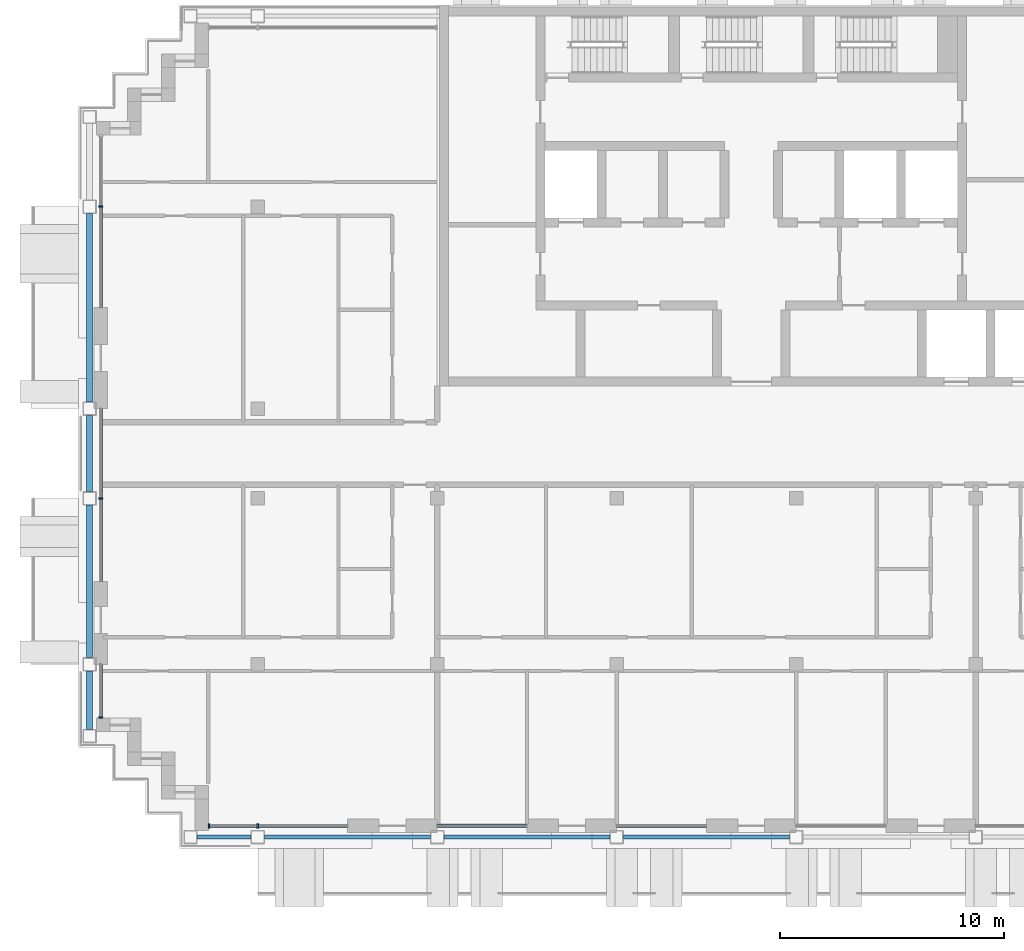
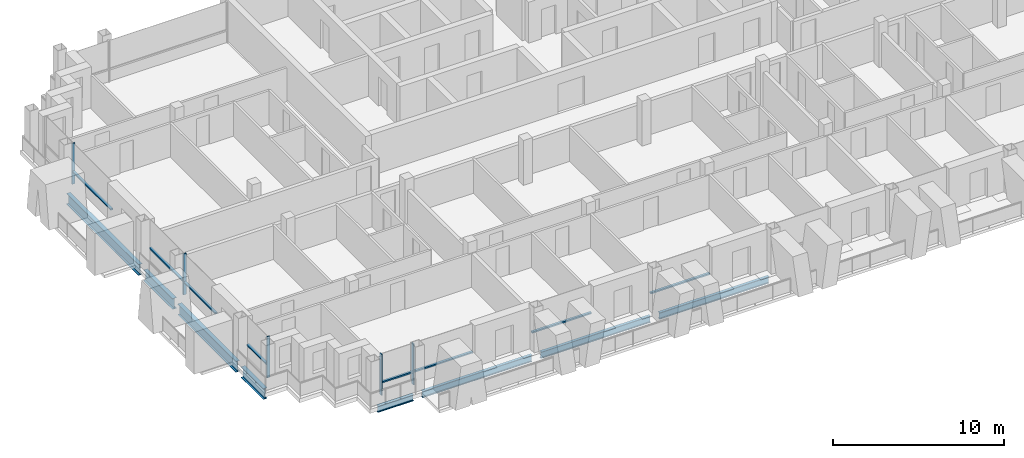
# One storey, part 2 of 15: 13 members, 8 beams, 6 elements without a shape of their own.
"""IFC4 building model written with IfcOpenShell, lengths in metres."""

from ifc_helpers import new_model, si_unit, direction, frame, origin, origin_2d, place, context, subcontext, project, spatial, rectangle, i_section, extrude, material, material_profile, profile_set, type_object, element, aggregate, save


model = new_model("IFC4")

# Units and contexts
model_context = context("Model", 3, precision=1e-05, world=origin(), true_north=direction((0.0, 1.0)))
body_context = subcontext(model_context, "Body", "Model", "MODEL_VIEW")
ifc_project = project(units=[si_unit("LENGTHUNIT", "METRE"), si_unit("AREAUNIT", "SQUARE_METRE"), si_unit("VOLUMEUNIT", "CUBIC_METRE"), si_unit("PLANEANGLEUNIT", "RADIAN"), si_unit("MASSUNIT", "GRAM", prefix="KILO")], contexts=[model_context])

# Site, building, storey
site_placement = place(None, origin())
site = spatial("IfcSite", under=ifc_project, at=site_placement, CompositionType="ELEMENT")
building_placement = place(site_placement, origin())
building = spatial("IfcBuilding", under=site, at=building_placement, Name="Vidyagriha Tower", CompositionType="ELEMENT")
storey_placement = place(building_placement, frame((0.0, 0.0, 214.0)))
storey = spatial("IfcBuildingStorey", under=building, at=storey_placement, Name="L55", CompositionType="ELEMENT", Elevation=214.0)

# Beams
ifc_material_1 = material(Name="Steel ASTM A992 Grade 50", Category="steel")
ifc_material_profile_1 = material_profile(ifc_material_1, i_section(OverallWidth=0.2666015625, OverallDepth=0.76953125, WebThickness=0.015625, FlangeThickness=0.025390625, at=origin_2d()), Name="W30X132")
ifc_profile_set_1 = profile_set([ifc_material_profile_1], Name="Steel ASTM A992 Grade 50")
beam_type_1 = type_object("IfcBeamType", Name="Cantilever edge beam W30X132", PredefinedType="SPANDREL", material=ifc_profile_set_1)
beam_1_placement = place(storey_placement, frame((-29.5, -12.300048828125, -0.664794921875), z_axis=(0.0, 1.0, 0.0), x_axis=(-1.0, 0.0, 0.0)))
element("IfcBeam", 1, at=beam_1_placement, inside=storey, type_object=beam_type_1, Name="st-beam-L55-W08", PredefinedType="SPANDREL", context=body_context, shape_type="SweptSolid", body=[
    extrude(i_section(OverallWidth=0.2666015625, OverallDepth=0.76953125, WebThickness=0.015625, FlangeThickness=0.025390625, at=origin_2d()), origin(), (0.0, 0.0, 1.0), 2.60009765625),
])
beam_2_placement = place(storey_placement, frame((-29.5, -9.10009765625, -0.664794921875), z_axis=(0.0, 1.0, 0.0), x_axis=(-1.0, 0.0, 0.0)))
element("IfcBeam", 2, at=beam_2_placement, inside=storey, type_object=beam_type_1, Name="st-beam-L55-W09", PredefinedType="SPANDREL", context=body_context, shape_type="SweptSolid", body=[
    extrude(i_section(OverallWidth=0.2666015625, OverallDepth=0.76953125, WebThickness=0.015625, FlangeThickness=0.025390625, at=origin_2d()), origin(), (0.0, 0.0, 1.0), 6.800048828125),
])
beam_3_placement = place(storey_placement, frame((-29.5, -1.699951171875, -0.664794921875), z_axis=(0.0, 1.0, 0.0), x_axis=(-1.0, 0.0, 0.0)))
element("IfcBeam", 3, at=beam_3_placement, inside=storey, type_object=beam_type_1, Name="st-beam-L55-W10", PredefinedType="SPANDREL", context=body_context, shape_type="SweptSolid", body=[
    extrude(i_section(OverallWidth=0.2666015625, OverallDepth=0.76953125, WebThickness=0.015625, FlangeThickness=0.025390625, at=origin_2d()), origin(), (0.0, 0.0, 1.0), 3.39990234375),
])
beam_4_placement = place(storey_placement, frame((-29.5, 2.300048828125, -0.664794921875), z_axis=(0.0, 1.0, 0.0), x_axis=(-1.0, 0.0, 0.0)))
element("IfcBeam", 4, at=beam_4_placement, inside=storey, type_object=beam_type_1, Name="st-beam-L55-W11", PredefinedType="SPANDREL", context=body_context, shape_type="SweptSolid", body=[
    extrude(i_section(OverallWidth=0.2666015625, OverallDepth=0.76953125, WebThickness=0.015625, FlangeThickness=0.025390625, at=origin_2d()), origin(), (0.0, 0.0, 1.0), 8.39990234375),
])
ifc_material_2 = material(Name="Steel ASTM A992 Grade 50", Category="steel")
ifc_material_profile_2 = material_profile(ifc_material_2, i_section(OverallWidth=0.19189453125, OverallDepth=0.46240234375, WebThickness=0.010498046875, FlangeThickness=0.017578125, at=origin_2d()), Name="W18X60")
ifc_profile_set_2 = profile_set([ifc_material_profile_2], Name="Steel ASTM A992 Grade 50")
beam_type_2 = type_object("IfcBeamType", Name="Edge beam W18X60", PredefinedType="SPANDREL", material=ifc_profile_set_2)
beam_5_placement = place(storey_placement, frame((-24.699951171875, -17.10009765625, -0.51123046875), z_axis=(1.0, 0.0, 0.0), x_axis=(0.0, 1.0, 0.0)))
element("IfcBeam", 5, at=beam_5_placement, inside=storey, type_object=beam_type_2, Name="st-beam-L55-S01", PredefinedType="SPANDREL", context=body_context, shape_type="SweptSolid", body=[
    extrude(i_section(OverallWidth=0.19189453125, OverallDepth=0.46240234375, WebThickness=0.010498046875, FlangeThickness=0.017578125, at=origin_2d()), origin(), (0.0, 0.0, 1.0), 2.39990234375),
])
for number, where, z_axis, x_axis, name in (
    (6, (-21.699951171875, -17.10009765625, -0.51123046875), (1.0, 0.0, 0.0), (0.0, 1.0, 0.0), "st-beam-L55-S02"),
    (7, (-13.699951171875, -17.10009765625, -0.51123046875), (1.0, 0.0, 0.0), (0.0, 1.0, 0.0), "st-beam-L55-S03"),
    (8, (-5.699951171875, -17.10009765625, -0.51123046875), (1.0, 0.0, 0.0), (0.0, 1.0, 0.0), "st-beam-L55-S04"),
):
    element("IfcBeam", number, at=place(storey_placement, frame(where, z_axis=z_axis, x_axis=x_axis)), inside=storey, type_object=beam_type_2, Name=name, PredefinedType="SPANDREL", context=body_context, shape_type="SweptSolid", body=[
        extrude(i_section(OverallWidth=0.19189453125, OverallDepth=0.46240234375, WebThickness=0.010498046875, FlangeThickness=0.017578125, at=origin_2d()), origin(), (0.0, 0.0, 1.0), 7.39990234375),
    ])

# Curtain wall, member
ifc_material_3 = material(Name="Aluminium and glass curtain wall", Category="aluminium")
curtain_wall_type = type_object("IfcCurtainWallType", Name="Dwelling skin unitised curtain wall", PredefinedType="USERDEFINED", material=ifc_material_3)
curtain_wall_1_placement = place(storey_placement, origin())
curtain_wall_1 = element("IfcCurtainWall", 9, at=curtain_wall_1_placement, inside=storey, type_object=curtain_wall_type, Name="CW1 dwelling skin", ObjectType="UNITISED", PredefinedType="USERDEFINED")
ifc_material_4 = material(Name="Aluminium black anodised", Category="aluminium")
ifc_material_profile_3 = material_profile(ifc_material_4, rectangle(XDim=0.199951171875, YDim=0.070068359375, at=origin_2d()), Name="Mullion 70x200 black aluminium")
ifc_profile_set_3 = profile_set([ifc_material_profile_3], Name="Aluminium black anodised")
member_type_1 = type_object("IfcMemberType", Name="Mullion 70x200 black aluminium", PredefinedType="MULLION", material=ifc_profile_set_3)
member_1_placement = place(storey_placement, frame((-29.0, 11.0, 0.0)))
member_1 = element("IfcMember", 10, at=member_1_placement, type_object=member_type_1, Name="CW1 mullion 2", PredefinedType="MULLION", context=body_context, shape_type="SweptSolid", body=[
    extrude(rectangle(XDim=0.199951171875, YDim=0.070068359375, at=origin_2d()), origin(), (0.0, 0.0, 1.0), 2.919921875),
])

curtain_wall_2_placement = place(storey_placement, origin())
curtain_wall_2 = element("IfcCurtainWall", 11, at=curtain_wall_2_placement, inside=storey, type_object=curtain_wall_type, Name="CW1 dwelling skin", ObjectType="UNITISED", PredefinedType="USERDEFINED")
member_2_placement = place(storey_placement, frame((-29.0, -2.0, 0.0)))
member_2 = element("IfcMember", 12, at=member_2_placement, type_object=member_type_1, Name="CW1 mullion 2", PredefinedType="MULLION", context=body_context, shape_type="SweptSolid", body=[
    extrude(rectangle(XDim=0.199951171875, YDim=0.070068359375, at=origin_2d()), origin(), (0.0, 0.0, 1.0), 2.919921875),
])

curtain_wall_3_placement = place(storey_placement, origin())
curtain_wall_3 = element("IfcCurtainWall", 13, at=curtain_wall_3_placement, inside=storey, type_object=curtain_wall_type, Name="CW1 dwelling skin", ObjectType="UNITISED", PredefinedType="USERDEFINED")
member_3_placement = place(storey_placement, frame((-29.0, -11.764892578125, 0.0)))
member_3 = element("IfcMember", 14, at=member_3_placement, type_object=member_type_1, Name="CW1 mullion 2", PredefinedType="MULLION", context=body_context, shape_type="SweptSolid", body=[
    extrude(rectangle(XDim=0.199951171875, YDim=0.070068359375, at=origin_2d()), origin(), (0.0, 0.0, 1.0), 2.919921875),
])

# Curtain wall, members
curtain_wall_4_placement = place(storey_placement, origin())
curtain_wall_4 = element("IfcCurtainWall", 15, at=curtain_wall_4_placement, inside=storey, type_object=curtain_wall_type, Name="CW1 dwelling skin", ObjectType="UNITISED", PredefinedType="USERDEFINED")
member_4_placement = place(storey_placement, frame((-24.1650390625, -16.60009765625, 0.0), z_axis=(0.0, 0.0, 1.0), x_axis=(0.0, 1.0, 0.0)))
member_4 = element("IfcMember", 16, at=member_4_placement, type_object=member_type_1, Name="CW1 mullion 1", PredefinedType="MULLION", context=body_context, shape_type="SweptSolid", body=[
    extrude(rectangle(XDim=0.199951171875, YDim=0.070068359375, at=origin_2d()), origin(), (0.0, 0.0, 1.0), 2.919921875),
])
member_5_placement = place(storey_placement, frame((-22.0, -16.60009765625, 0.0), z_axis=(0.0, 0.0, 1.0), x_axis=(0.0, 1.0, 0.0)))
member_5 = element("IfcMember", 17, at=member_5_placement, type_object=member_type_1, Name="CW1 mullion 2", PredefinedType="MULLION", context=body_context, shape_type="SweptSolid", body=[
    extrude(rectangle(XDim=0.199951171875, YDim=0.070068359375, at=origin_2d()), origin(), (0.0, 0.0, 1.0), 2.919921875),
])

# Member
ifc_material_5 = material(Name="Aluminium black anodised", Category="aluminium")
ifc_material_profile_4 = material_profile(ifc_material_5, rectangle(XDim=0.159912109375, YDim=0.10009765625, at=origin_2d()), Name="Transom 100x160 black aluminium")
ifc_profile_set_4 = profile_set([ifc_material_profile_4], Name="Aluminium black anodised")
member_type_2 = type_object("IfcMemberType", Name="Transom 100x160 black aluminium", PredefinedType="USERDEFINED", material=ifc_profile_set_4)
member_6_placement = place(storey_placement, frame((-29.0, 10.965087890625, 0.89990234375), z_axis=(0.0, -1.0, 0.0), x_axis=(1.0, 0.0, 0.0)))
member_6 = element("IfcMember", 18, at=member_6_placement, type_object=member_type_2, Name="CW1 transom 2.1", ObjectType="TRANSOM", PredefinedType="USERDEFINED", context=body_context, shape_type="SweptSolid", body=[
    extrude(rectangle(XDim=0.159912109375, YDim=0.10009765625, at=origin_2d()), origin(), (0.0, 0.0, 1.0), 4.465087890625),
])

aggregate(curtain_wall_1, [member_1, member_6])

member_7_placement = place(storey_placement, frame((-29.0, 2.0, 0.89990234375), z_axis=(0.0, -1.0, 0.0), x_axis=(1.0, 0.0, 0.0)))
member_7 = element("IfcMember", 19, at=member_7_placement, type_object=member_type_2, Name="CW1 transom 1.1", ObjectType="TRANSOM", PredefinedType="USERDEFINED", context=body_context, shape_type="SweptSolid", body=[
    extrude(rectangle(XDim=0.159912109375, YDim=0.10009765625, at=origin_2d()), origin(), (0.0, 0.0, 1.0), 3.965087890625),
])

member_8_placement = place(storey_placement, frame((-29.0, -2.034912109375, 0.89990234375), z_axis=(0.0, -1.0, 0.0), x_axis=(1.0, 0.0, 0.0)))
member_8 = element("IfcMember", 20, at=member_8_placement, type_object=member_type_2, Name="CW1 transom 2.1", ObjectType="TRANSOM", PredefinedType="USERDEFINED", context=body_context, shape_type="SweptSolid", body=[
    extrude(rectangle(XDim=0.159912109375, YDim=0.10009765625, at=origin_2d()), origin(), (0.0, 0.0, 1.0), 3.6650390625),
])

aggregate(curtain_wall_2, [member_2, member_7, member_8])

member_9_placement = place(storey_placement, frame((-29.0, -9.39990234375, 0.89990234375), z_axis=(0.0, -1.0, 0.0), x_axis=(1.0, 0.0, 0.0)))
member_9 = element("IfcMember", 21, at=member_9_placement, type_object=member_type_2, Name="CW1 transom 1.1", ObjectType="TRANSOM", PredefinedType="USERDEFINED", context=body_context, shape_type="SweptSolid", body=[
    extrude(rectangle(XDim=0.159912109375, YDim=0.10009765625, at=origin_2d()), origin(), (0.0, 0.0, 1.0), 2.330078125),
])

aggregate(curtain_wall_3, [member_3, member_9])

member_10_placement = place(storey_placement, frame((-24.1298828125, -16.60009765625, 0.89990234375), z_axis=(1.0, 0.0, 0.0), x_axis=(0.0, 1.0, 0.0)))
member_10 = element("IfcMember", 22, at=member_10_placement, type_object=member_type_2, Name="CW1 transom 1.1", ObjectType="TRANSOM", PredefinedType="USERDEFINED", context=body_context, shape_type="SweptSolid", body=[
    extrude(rectangle(XDim=0.159912109375, YDim=0.10009765625, at=origin_2d()), origin(), (0.0, 0.0, 1.0), 2.094970703125),
])

member_11_placement = place(storey_placement, frame((-21.965087890625, -16.60009765625, 0.89990234375), z_axis=(1.0, 0.0, 0.0), x_axis=(0.0, 1.0, 0.0)))
member_11 = element("IfcMember", 23, at=member_11_placement, type_object=member_type_2, Name="CW1 transom 2.1", ObjectType="TRANSOM", PredefinedType="USERDEFINED", context=body_context, shape_type="SweptSolid", body=[
    extrude(rectangle(XDim=0.159912109375, YDim=0.10009765625, at=origin_2d()), origin(), (0.0, 0.0, 1.0), 3.965087890625),
])

aggregate(curtain_wall_4, [member_4, member_5, member_10, member_11])

# Curtain wall, member
curtain_wall_5_placement = place(storey_placement, origin())
curtain_wall_5 = element("IfcCurtainWall", 24, at=curtain_wall_5_placement, inside=storey, type_object=curtain_wall_type, Name="CW1 dwelling skin", ObjectType="UNITISED", PredefinedType="USERDEFINED")
member_12_placement = place(storey_placement, frame((-14.0, -16.60009765625, 0.89990234375), z_axis=(1.0, 0.0, 0.0), x_axis=(0.0, 1.0, 0.0)))
member_12 = element("IfcMember", 25, at=member_12_placement, type_object=member_type_2, Name="CW1 transom 1.1", ObjectType="TRANSOM", PredefinedType="USERDEFINED", context=body_context, shape_type="SweptSolid", body=[
    extrude(rectangle(XDim=0.159912109375, YDim=0.10009765625, at=origin_2d()), origin(), (0.0, 0.0, 1.0), 4.0),
])
aggregate(curtain_wall_5, [member_12])

curtain_wall_6_placement = place(storey_placement, origin())
curtain_wall_6 = element("IfcCurtainWall", 26, at=curtain_wall_6_placement, inside=storey, type_object=curtain_wall_type, Name="CW1 dwelling skin", ObjectType="UNITISED", PredefinedType="USERDEFINED")
member_13_placement = place(storey_placement, frame((-6.0, -16.60009765625, 0.89990234375), z_axis=(1.0, 0.0, 0.0), x_axis=(0.0, 1.0, 0.0)))
member_13 = element("IfcMember", 27, at=member_13_placement, type_object=member_type_2, Name="CW1 transom 1.1", ObjectType="TRANSOM", PredefinedType="USERDEFINED", context=body_context, shape_type="SweptSolid", body=[
    extrude(rectangle(XDim=0.159912109375, YDim=0.10009765625, at=origin_2d()), origin(), (0.0, 0.0, 1.0), 4.0),
])
aggregate(curtain_wall_6, [member_13])

save(model, "model.ifc")
